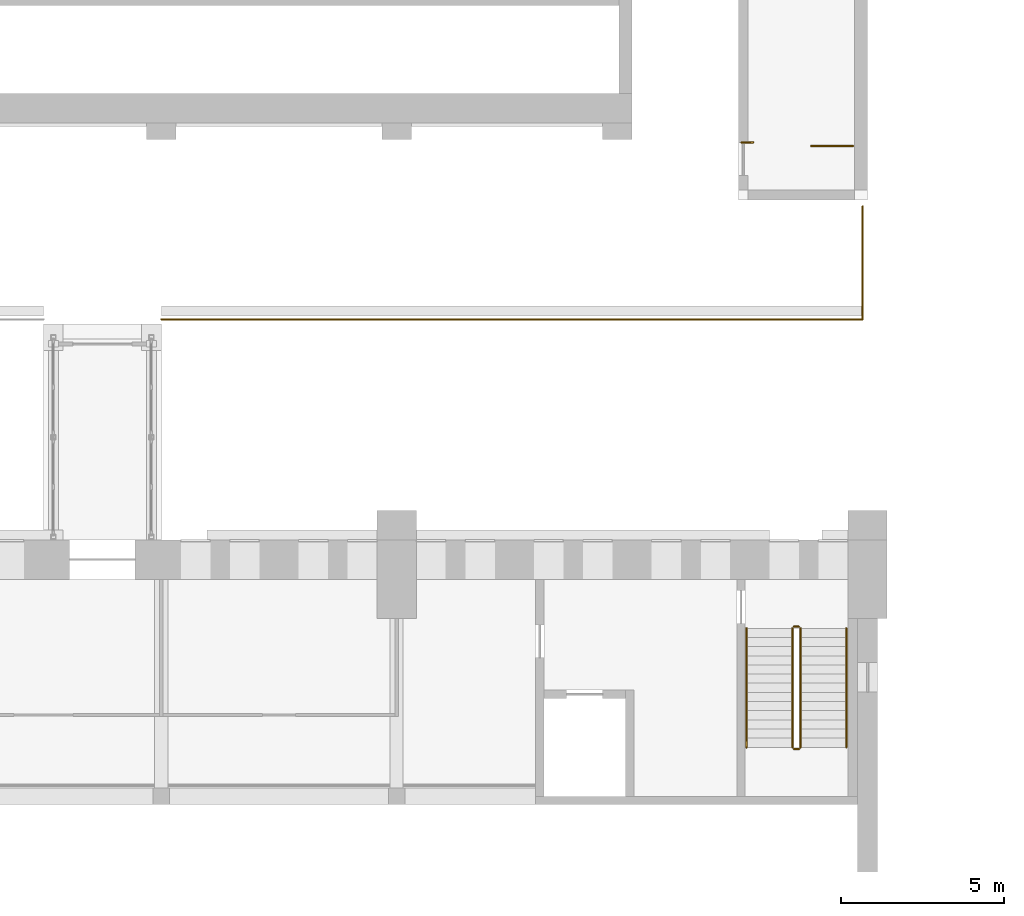
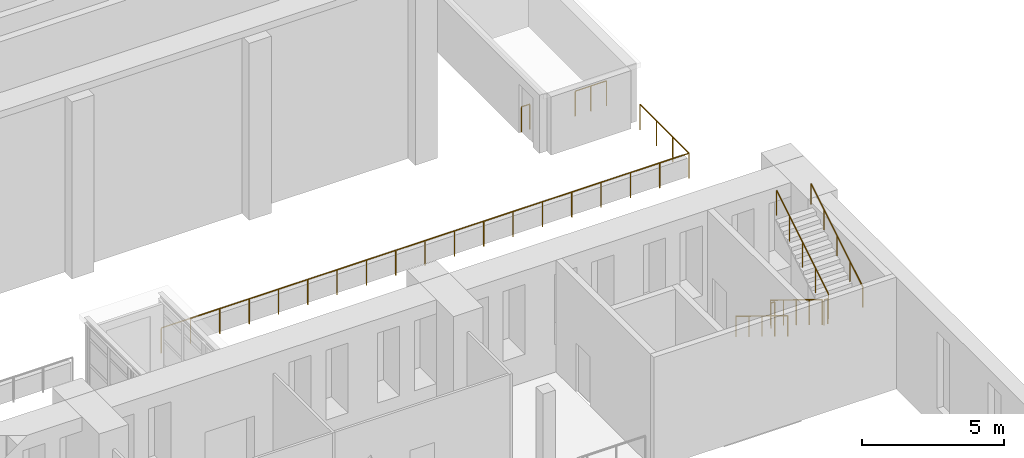
# One storey, part 124 of 131: 10 railings.
"""IFC4 building model written with IfcOpenShell, lengths in metres."""

from ifc_helpers import new_model, si_unit, direction, frame, origin, origin_2d, place, context, subcontext, project, spatial, circle, extrude, material, type_object, element, save


model = new_model("IFC4")

# Units and contexts
model_context = context("Model", 3, precision=1e-05, world=origin(), true_north=direction((0.0, 1.0)))
body_context = subcontext(model_context, "Body", "Model", "MODEL_VIEW")
ifc_project = project(units=[si_unit("LENGTHUNIT", "METRE"), si_unit("AREAUNIT", "SQUARE_METRE"), si_unit("VOLUMEUNIT", "CUBIC_METRE"), si_unit("PLANEANGLEUNIT", "RADIAN"), si_unit("MASSUNIT", "GRAM", prefix="KILO")], contexts=[model_context])

# Site, building, storey
site_placement = place(None, origin())
site = spatial("IfcSite", under=ifc_project, at=site_placement, CompositionType="ELEMENT")
building_placement = place(site_placement, origin())
building = spatial("IfcBuilding", under=site, at=building_placement, Name="Alderwick Market Hall", CompositionType="ELEMENT")
storey_placement = place(building_placement, frame((0.0, 0.0, 4.800048828125)))
storey = spatial("IfcBuildingStorey", under=building, at=storey_placement, Name="L00", CompositionType="ELEMENT", Elevation=4.800048828125)

# Railings
ifc_material_1 = material(Name="Steel ASTM A500 Grade C", Category="steel")
railing_type_1 = type_object("IfcRailingType", Name="A Roof Guard 1100", PredefinedType="GUARDRAIL", material=ifc_material_1)
railing_1_placement = place(storey_placement, frame((147.35009765625, 120.760009765625, 0.0)))
element("IfcRailing", 1, at=railing_1_placement, inside=storey, type_object=railing_type_1, Name="Stair guard", PredefinedType="GUARDRAIL", context=body_context, shape_type="SweptSolid", body=[
    extrude(circle(Radius=0.02392578125, at=origin_2d()), frame((0.0, 0.0, 1.076171875), z_axis=(1.0, 0.0, 0.0), x_axis=(0.0, 1.0, 0.0)), (0.0, 0.0, 1.0), 0.349853515625),
    extrude(circle(Radius=0.02099609375, at=origin_2d()), origin(), (0.0, 0.0, 1.0), 1.052001953125),
    extrude(circle(Radius=0.02099609375, at=origin_2d()), frame((0.349853515625, 0.0, 0.0)), (0.0, 0.0, 1.0), 1.052001953125),
])
railing_2_placement = place(storey_placement, frame((129.60009765625, 115.35009765625, 0.0)))
element("IfcRailing", 2, at=railing_2_placement, inside=storey, type_object=railing_type_1, Name="Roof guard", PredefinedType="GUARDRAIL", context=body_context, shape_type="SweptSolid", body=[
    extrude(circle(Radius=0.02392578125, at=origin_2d()), frame((0.0, 0.0, 1.076171875), z_axis=(1.0, 0.0, 0.0), x_axis=(0.0, 1.0, 0.0)), (0.0, 0.0, 1.0), 21.449951171875),
    extrude(circle(Radius=0.02099609375, at=origin_2d()), origin(), (0.0, 0.0, 1.0), 1.052001953125),
    extrude(circle(Radius=0.02099609375, at=origin_2d()), frame((1.191650390625, 0.0, 0.0)), (0.0, 0.0, 1.0), 1.052001953125),
    extrude(circle(Radius=0.02099609375, at=origin_2d()), frame((2.38330078125, 0.0, 0.0)), (0.0, 0.0, 1.0), 1.052001953125),
    extrude(circle(Radius=0.02099609375, at=origin_2d()), frame((3.574951171875, 0.0, 0.0)), (0.0, 0.0, 1.0), 1.052001953125),
    extrude(circle(Radius=0.02099609375, at=origin_2d()), frame((4.7666015625, 0.0, 0.0)), (0.0, 0.0, 1.0), 1.052001953125),
    extrude(circle(Radius=0.02099609375, at=origin_2d()), frame((5.958251953125, 0.0, 0.0)), (0.0, 0.0, 1.0), 1.052001953125),
    extrude(circle(Radius=0.02099609375, at=origin_2d()), frame((7.14990234375, 0.0, 0.0)), (0.0, 0.0, 1.0), 1.052001953125),
    extrude(circle(Radius=0.02099609375, at=origin_2d()), frame((8.341552734375, 0.0, 0.0)), (0.0, 0.0, 1.0), 1.052001953125),
    extrude(circle(Radius=0.02099609375, at=origin_2d()), frame((9.533203125, 0.0, 0.0)), (0.0, 0.0, 1.0), 1.052001953125),
    extrude(circle(Radius=0.02099609375, at=origin_2d()), frame((10.72509765625, 0.0, 0.0)), (0.0, 0.0, 1.0), 1.052001953125),
    extrude(circle(Radius=0.02099609375, at=origin_2d()), frame((11.916748046875, 0.0, 0.0)), (0.0, 0.0, 1.0), 1.052001953125),
    extrude(circle(Radius=0.02099609375, at=origin_2d()), frame((13.1083984375, 0.0, 0.0)), (0.0, 0.0, 1.0), 1.052001953125),
    extrude(circle(Radius=0.02099609375, at=origin_2d()), frame((14.300048828125, 0.0, 0.0)), (0.0, 0.0, 1.0), 1.052001953125),
    extrude(circle(Radius=0.02099609375, at=origin_2d()), frame((15.49169921875, 0.0, 0.0)), (0.0, 0.0, 1.0), 1.052001953125),
    extrude(circle(Radius=0.02099609375, at=origin_2d()), frame((16.683349609375, 0.0, 0.0)), (0.0, 0.0, 1.0), 1.052001953125),
    extrude(circle(Radius=0.02099609375, at=origin_2d()), frame((17.875, 0.0, 0.0)), (0.0, 0.0, 1.0), 1.052001953125),
    extrude(circle(Radius=0.02099609375, at=origin_2d()), frame((19.066650390625, 0.0, 0.0)), (0.0, 0.0, 1.0), 1.052001953125),
    extrude(circle(Radius=0.02099609375, at=origin_2d()), frame((20.25830078125, 0.0, 0.0)), (0.0, 0.0, 1.0), 1.052001953125),
    extrude(circle(Radius=0.02099609375, at=origin_2d()), frame((21.449951171875, 0.0, 0.0)), (0.0, 0.0, 1.0), 1.052001953125),
])
railing_3_placement = place(storey_placement, frame((151.050048828125, 115.35009765625, 0.0)))
element("IfcRailing", 3, at=railing_3_placement, inside=storey, type_object=railing_type_1, Name="Roof guard", PredefinedType="GUARDRAIL", context=body_context, shape_type="SweptSolid", body=[
    extrude(circle(Radius=0.02392578125, at=origin_2d()), frame((0.0, 0.0, 1.076171875), z_axis=(0.0, 1.0, 0.0), x_axis=(-1.0, 0.0, 0.0)), (0.0, 0.0, 1.0), 3.449951171875),
    extrude(circle(Radius=0.02099609375, at=origin_2d()), origin(), (0.0, 0.0, 1.0), 1.052001953125),
    extrude(circle(Radius=0.02099609375, at=origin_2d()), frame((0.0, 1.14990234375, 0.0)), (0.0, 0.0, 1.0), 1.052001953125),
    extrude(circle(Radius=0.02099609375, at=origin_2d()), frame((0.0, 2.300048828125, 0.0)), (0.0, 0.0, 1.0), 1.052001953125),
    extrude(circle(Radius=0.02099609375, at=origin_2d()), frame((0.0, 3.449951171875, 0.0)), (0.0, 0.0, 1.0), 1.052001953125),
])
railing_4_placement = place(storey_placement, frame((150.75, 120.64990234375, 0.0)))
element("IfcRailing", 4, at=railing_4_placement, inside=storey, type_object=railing_type_1, Name="Stair well guard", PredefinedType="GUARDRAIL", context=body_context, shape_type="SweptSolid", body=[
    extrude(circle(Radius=0.02392578125, at=origin_2d()), frame((0.0, 0.0, 1.076171875), z_axis=(-1.0, 0.0, 0.0), x_axis=(0.0, -1.0, 0.0)), (0.0, 0.0, 1.0), 1.27001953125),
    extrude(circle(Radius=0.02099609375, at=origin_2d()), origin(), (0.0, 0.0, 1.0), 1.052001953125),
    extrude(circle(Radius=0.02099609375, at=origin_2d()), frame((-0.635009765625, 0.0, 0.0)), (0.0, 0.0, 1.0), 1.052001953125),
    extrude(circle(Radius=0.02099609375, at=origin_2d()), frame((-1.27001953125, 0.0, 0.0)), (0.0, 0.0, 1.0), 1.052001953125),
])
ifc_material_2 = material(Name="Steel, painted", Category="steel")
railing_type_2 = type_object("IfcRailingType", Name="H Guard 1100", PredefinedType="GUARDRAIL", material=ifc_material_2)
railing_5_placement = place(storey_placement, frame((148.89990234375, 105.89990234375, 0.17138671875)))
element("IfcRailing", 5, at=railing_5_placement, inside=storey, type_object=railing_type_2, Name="L00 H-NE stair guard 1", PredefinedType="GUARDRAIL", context=body_context, shape_type="SweptSolid", body=[
    extrude(circle(Radius=0.02392578125, at=origin_2d()), frame((0.0, 0.0, 1.076171875), z_axis=(0.0, -0.852850264322, 0.5221555579), x_axis=(1.0, 0.0, 0.0)), (0.0, 0.0, 1.0), 4.267822265625),
    extrude(circle(Radius=0.02099609375, at=origin_2d()), origin(), (0.0, 0.0, 1.0), 1.052001953125),
    extrude(circle(Radius=0.02099609375, at=origin_2d()), frame((0.0, -0.909912109375, 0.55712890625)), (0.0, 0.0, 1.0), 1.052001953125),
    extrude(circle(Radius=0.02099609375, at=origin_2d()), frame((0.0, -1.81982421875, 1.1142578125)), (0.0, 0.0, 1.0), 1.052001953125),
    extrude(circle(Radius=0.02099609375, at=origin_2d()), frame((0.0, -2.72998046875, 1.67138671875)), (0.0, 0.0, 1.0), 1.052001953125),
    extrude(circle(Radius=0.02099609375, at=origin_2d()), frame((0.0, -3.639892578125, 2.228515625)), (0.0, 0.0, 1.0), 1.052001953125),
])
railing_6_placement = place(storey_placement, frame((148.949951171875, 102.2099609375, 2.39990234375)))
element("IfcRailing", 6, at=railing_6_placement, inside=storey, type_object=railing_type_2, Name="L00 H-NE stair guard 2", PredefinedType="GUARDRAIL", context=body_context, shape_type="SweptSolid", body=[
    extrude(circle(Radius=0.02392578125, at=origin_2d()), frame((0.0, 0.0, 1.076171875), z_axis=(1.0, 0.0, 0.0), x_axis=(0.0, 1.0, 0.0)), (0.0, 0.0, 1.0), 0.150146484375),
    extrude(circle(Radius=0.02099609375, at=origin_2d()), origin(), (0.0, 0.0, 1.0), 1.052001953125),
    extrude(circle(Radius=0.02099609375, at=origin_2d()), frame((0.150146484375, 0.0, 0.0)), (0.0, 0.0, 1.0), 1.052001953125),
])
railing_7_placement = place(storey_placement, frame((149.14990234375, 102.260009765625, 2.5712890625)))
element("IfcRailing", 7, at=railing_7_placement, inside=storey, type_object=railing_type_2, Name="L00 H-NE stair guard 3", PredefinedType="GUARDRAIL", context=body_context, shape_type="SweptSolid", body=[
    extrude(circle(Radius=0.02392578125, at=origin_2d()), frame((0.0, 0.0, 1.076171875), z_axis=(0.0, 0.852824790078, 0.522197163366), x_axis=(-1.0, 0.0, 0.0)), (0.0, 0.0, 1.0), 4.26806640625),
    extrude(circle(Radius=0.02099609375, at=origin_2d()), origin(), (0.0, 0.0, 1.0), 1.052001953125),
    extrude(circle(Radius=0.02099609375, at=origin_2d()), frame((0.0, 0.909912109375, 0.55712890625)), (0.0, 0.0, 1.0), 1.052001953125),
    extrude(circle(Radius=0.02099609375, at=origin_2d()), frame((0.0, 1.81982421875, 1.1142578125)), (0.0, 0.0, 1.0), 1.052001953125),
    extrude(circle(Radius=0.02099609375, at=origin_2d()), frame((0.0, 2.72998046875, 1.671630859375)), (0.0, 0.0, 1.0), 1.052001953125),
    extrude(circle(Radius=0.02099609375, at=origin_2d()), frame((0.0, 3.639892578125, 2.228759765625)), (0.0, 0.0, 1.0), 1.052001953125),
])
railing_8_placement = place(storey_placement, frame((148.949951171875, 105.949951171875, 0.0)))
element("IfcRailing", 8, at=railing_8_placement, inside=storey, type_object=railing_type_2, Name="L00 H-NE stair guard 4", PredefinedType="GUARDRAIL", context=body_context, shape_type="SweptSolid", body=[
    extrude(circle(Radius=0.02392578125, at=origin_2d()), frame((0.0, 0.0, 1.076171875), z_axis=(1.0, 0.0, 0.0), x_axis=(0.0, 1.0, 0.0)), (0.0, 0.0, 1.0), 0.150146484375),
    extrude(circle(Radius=0.02099609375, at=origin_2d()), origin(), (0.0, 0.0, 1.0), 1.052001953125),
    extrude(circle(Radius=0.02099609375, at=origin_2d()), frame((0.150146484375, 0.0, 0.0)), (0.0, 0.0, 1.0), 1.052001953125),
])
railing_type_3 = type_object("IfcRailingType", Name="H Handrail 900", PredefinedType="HANDRAIL", material=ifc_material_2)
railing_9_placement = place(storey_placement, frame((147.5, 105.89990234375, 0.17138671875)))
element("IfcRailing", 9, at=railing_9_placement, inside=storey, type_object=railing_type_3, Name="L00 H-NE stair handrail 1", PredefinedType="HANDRAIL", context=body_context, shape_type="SweptSolid", body=[
    extrude(circle(Radius=0.02392578125, at=origin_2d()), frame((0.0, 0.0, 0.8759765625), z_axis=(0.0, -0.852850264322, 0.5221555579), x_axis=(1.0, 0.0, 0.0)), (0.0, 0.0, 1.0), 4.267822265625),
    extrude(circle(Radius=0.02099609375, at=origin_2d()), origin(), (0.0, 0.0, 1.0), 0.851806640625),
    extrude(circle(Radius=0.02099609375, at=origin_2d()), frame((0.0, -0.909912109375, 0.55712890625)), (0.0, 0.0, 1.0), 0.851806640625),
    extrude(circle(Radius=0.02099609375, at=origin_2d()), frame((0.0, -1.81982421875, 1.1142578125)), (0.0, 0.0, 1.0), 0.851806640625),
    extrude(circle(Radius=0.02099609375, at=origin_2d()), frame((0.0, -2.72998046875, 1.67138671875)), (0.0, 0.0, 1.0), 0.851806640625),
    extrude(circle(Radius=0.02099609375, at=origin_2d()), frame((0.0, -3.639892578125, 2.228515625)), (0.0, 0.0, 1.0), 0.851806640625),
])
railing_10_placement = place(storey_placement, frame((150.550048828125, 102.260009765625, 2.5712890625)))
element("IfcRailing", 10, at=railing_10_placement, inside=storey, type_object=railing_type_3, Name="L00 H-NE stair handrail 2", PredefinedType="HANDRAIL", context=body_context, shape_type="SweptSolid", body=[
    extrude(circle(Radius=0.02392578125, at=origin_2d()), frame((0.0, 0.0, 0.8759765625), z_axis=(0.0, 0.852824790078, 0.522197163366), x_axis=(-1.0, 0.0, 0.0)), (0.0, 0.0, 1.0), 4.26806640625),
    extrude(circle(Radius=0.02099609375, at=origin_2d()), origin(), (0.0, 0.0, 1.0), 0.851806640625),
    extrude(circle(Radius=0.02099609375, at=origin_2d()), frame((0.0, 0.909912109375, 0.55712890625)), (0.0, 0.0, 1.0), 0.851806640625),
    extrude(circle(Radius=0.02099609375, at=origin_2d()), frame((0.0, 1.81982421875, 1.1142578125)), (0.0, 0.0, 1.0), 0.851806640625),
    extrude(circle(Radius=0.02099609375, at=origin_2d()), frame((0.0, 2.72998046875, 1.671630859375)), (0.0, 0.0, 1.0), 0.851806640625),
    extrude(circle(Radius=0.02099609375, at=origin_2d()), frame((0.0, 3.639892578125, 2.228759765625)), (0.0, 0.0, 1.0), 0.851806640625),
])

save(model, "model.ifc")
